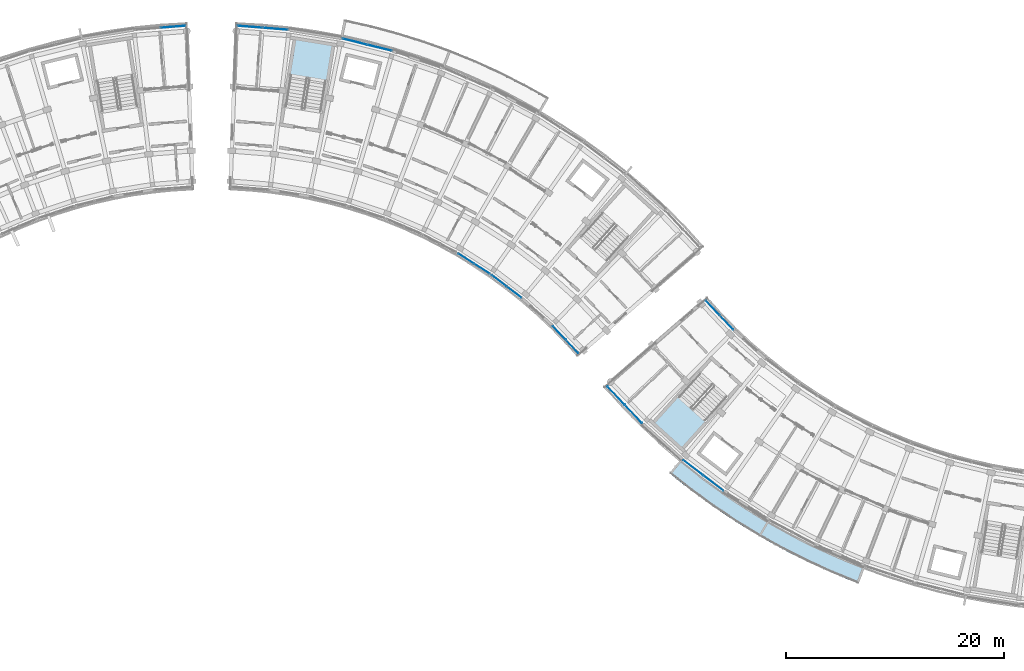
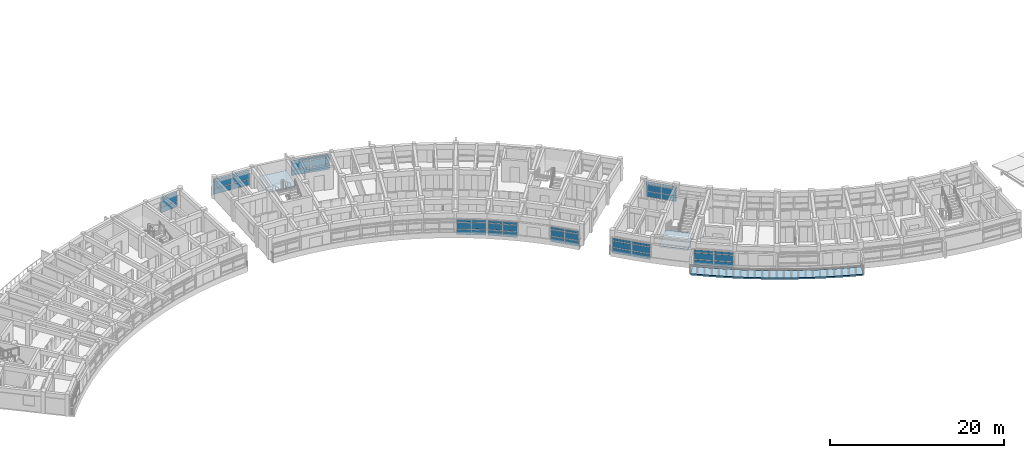
# One storey, part 25 of 50: 51 plates, 3 slabs, 11 elements without a shape of their own.
"""IFC4 building model written with IfcOpenShell, lengths in metres."""

import ifcopenshell
import ifcopenshell.guid

model = None  # the IFC model being written
_history = None  # IfcOwnerHistory: only IFC2X3 demands one
_inside = {}  # id of a spatial element -> (the spatial element, [elements in it])
_under = {}  # id of a project, library or spatial element -> (it, [spatial elements below it])
_declared = {}  # id of a project -> (the project, [libraries it declares])
_typed = {}  # id of a type object -> (the type object, [elements of that type])
_made_of = {}  # id of a material, layer set ... -> (it, [elements and type objects made of it])


def new_model(schema):
    """Start an empty IFC model of exactly this schema.

    Asked for "IFC4X3", IfcOpenShell would pick the latest addendum, in which some entities
    have other attributes; the version numbers below select the first issue.
    IFC2X3 requires an IfcOwnerHistory on every rooted entity: one is made here for all.
    """
    global model, _history
    if schema == "IFC4X3":
        model = ifcopenshell.file(schema_version=(4, 3, 0, 0))
    else:
        model = ifcopenshell.file(schema=schema)
    _inside.clear()
    _under.clear()
    _declared.clear()
    _typed.clear()
    _made_of.clear()
    _history = None
    if model.schema == "IFC2X3":
        org = make("IfcOrganization", Name="unknown")
        user = make(
            "IfcPersonAndOrganization",
            ThePerson=make("IfcPerson", FamilyName="unknown"),
            TheOrganization=org,
        )
        app = make(
            "IfcApplication",
            ApplicationDeveloper=org,
            Version="unknown",
            ApplicationFullName="unknown",
            ApplicationIdentifier="unknown",
        )
        _history = make(
            "IfcOwnerHistory",
            OwningUser=user,
            OwningApplication=app,
            ChangeAction="ADDED",
            CreationDate=0,
        )
    return model


def make(cls, **values):
    """One entity of the class cls with the attributes given. An attribute that is None is left unset."""
    return model.create_entity(
        cls, **{name: value for name, value in values.items() if value is not None}
    )


def rooted(cls, **values):
    """An entity with a GlobalId (a new one), such as an element, a storey or a relation."""
    return make(cls, GlobalId=ifcopenshell.guid.new(), OwnerHistory=_history, **values)


def si_unit(unit_type, name, prefix=None):
    """IfcSIUnit, for example si_unit("LENGTHUNIT", "METRE", prefix="MILLI")."""
    return make("IfcSIUnit", UnitType=unit_type, Prefix=prefix, Name=name)


def assignment(units):
    """IfcUnitAssignment: the units of a project."""
    return None if units is None else make("IfcUnitAssignment", Units=units)


def point(xyz):
    """IfcCartesianPoint."""
    return None if xyz is None else make("IfcCartesianPoint", Coordinates=xyz)


def direction(xyz):
    """IfcDirection."""
    return None if xyz is None else make("IfcDirection", DirectionRatios=xyz)


def frame(location, z_axis=None, x_axis=None):
    """IfcAxis2Placement3D, a coordinate frame: its origin and axes. An axis left out is left unset."""
    return make(
        "IfcAxis2Placement3D",
        Location=point(location),
        Axis=direction(z_axis),
        RefDirection=direction(x_axis),
    )


def frame_2d(location, x_axis=None):
    """IfcAxis2Placement2D, a coordinate frame in the plane: its origin and x axis."""
    return make(
        "IfcAxis2Placement2D", Location=point(location), RefDirection=direction(x_axis)
    )


def origin():
    """The frame at (0, 0, 0) with its axes left unset."""
    return frame((0.0, 0.0, 0.0))


def origin_2d():
    """The frame at (0, 0) in the plane with its x axis left unset."""
    return frame_2d((0.0, 0.0))


def place(relative_to, where):
    """IfcLocalPlacement: puts the frame where relative to a parent placement (None: the world)."""
    return make(
        "IfcLocalPlacement", PlacementRelTo=relative_to, RelativePlacement=where
    )


def context(
    kind, dimensions, precision=None, world=None, true_north=None, identifier=None
):
    """IfcGeometricRepresentationContext, for example the 3D "Model" context."""
    return make(
        "IfcGeometricRepresentationContext",
        ContextIdentifier=identifier,
        ContextType=kind,
        CoordinateSpaceDimension=dimensions,
        Precision=precision,
        WorldCoordinateSystem=world,
        TrueNorth=true_north,
    )


def subcontext(parent, identifier, kind, view, scale=None):
    """IfcGeometricRepresentationSubContext, for example "Body" below "Model"."""
    return make(
        "IfcGeometricRepresentationSubContext",
        ContextIdentifier=identifier,
        ContextType=kind,
        ParentContext=parent,
        TargetScale=scale,
        TargetView=view,
    )


def project(units=None, contexts=None):
    """IfcProject with its units and contexts."""
    return rooted(
        "IfcProject",
        Name="project",
        RepresentationContexts=contexts,
        UnitsInContext=assignment(units),
    )


def spatial(cls, under=None, at=None, **own):
    """A site, building, storey or space (cls), placed at a placement, below another one or the project."""
    s = rooted(cls, ObjectPlacement=at, **own)
    if under is not None:
        _under.setdefault(under.id(), (under, []))[1].append(s)
    return s


def polyline(points):
    """IfcPolyline through the points."""
    return make("IfcPolyline", Points=[point(p) for p in points])


def profile(cls, at=None, kind="AREA", **sizes):
    """A parametric profile (cls). Its sizes go by their IFC names, for example OverallWidth=200.0."""
    return make(cls, ProfileType=kind, Position=at, **sizes)


def rectangle(**sizes):
    """IfcRectangleProfileDef."""
    return profile("IfcRectangleProfileDef", **sizes)


def outline(outer, holes=None, kind="AREA"):
    """IfcArbitraryClosedProfileDef: a profile drawn as a closed curve; with holes, ...WithVoids."""
    if holes is None:
        return make("IfcArbitraryClosedProfileDef", ProfileType=kind, OuterCurve=outer)
    return make(
        "IfcArbitraryProfileDefWithVoids",
        ProfileType=kind,
        OuterCurve=outer,
        InnerCurves=holes,
    )


def extrude(swept, where, along, depth):
    """IfcExtrudedAreaSolid: the profile swept, set in the frame where, extruded along a direction by depth."""
    return make(
        "IfcExtrudedAreaSolid",
        SweptArea=swept,
        Position=where,
        ExtrudedDirection=direction(along),
        Depth=depth,
    )


def shape(context_of_items, identifier, shape_type, items):
    """IfcShapeRepresentation: the items that make up one representation, for example the "Body"."""
    return make(
        "IfcShapeRepresentation",
        ContextOfItems=context_of_items,
        RepresentationIdentifier=identifier,
        RepresentationType=shape_type,
        Items=items,
    )


def material(Name=None, Category=None):
    """IfcMaterial."""
    return make("IfcMaterial", Name=Name, Category=Category)


def layer(
    of_material, thickness, ventilated=None, Name=None, Category=None, Priority=None
):
    """IfcMaterialLayer: one layer of a wall or slab, of a material (None: an air gap)."""
    return make(
        "IfcMaterialLayer",
        Material=of_material,
        LayerThickness=thickness,
        IsVentilated=ventilated,
        Name=Name,
        Category=Category,
        Priority=Priority,
    )


def layer_set(layers, Name=None):
    """IfcMaterialLayerSet."""
    return make("IfcMaterialLayerSet", MaterialLayers=layers, LayerSetName=Name)


def made_of(thing, what):
    """Note that an element or type object is made of a material, layer set ...; save() writes the relation."""
    if what is not None:
        _made_of.setdefault(what.id(), (what, []))[1].append(thing)
    return thing


def type_object(cls, material=None, **own):
    """A type object (cls), such as IfcWallType, which elements share."""
    return made_of(rooted(cls, **own), material)


def element(
    cls,
    number,
    at=None,
    inside=None,
    cuts=None,
    type_object=None,
    material=None,
    context=None,
    identifier="Body",
    shape_type=None,
    held_by="IfcProductDefinitionShape",
    body=None,
    shapes=None,
    **own,
):
    """One element of the class cls, such as IfcWall. Its Tag is "e" and its number.

    at: its placement. inside: the storey or other place that contains it. cuts: it is an
    opening in that element (IfcRelVoidsElement). A single representation is given by context,
    identifier, shape_type and body (its items); several are given by shapes. held_by: the class
    of the entity that holds the representations. save() writes the other relations.
    """
    e = rooted(cls, Tag="e%d" % number, ObjectPlacement=at, **own)
    if body is not None:
        shapes = [shape(context, identifier, shape_type, body)]
    if shapes is not None:
        e.Representation = make(held_by, Representations=shapes)
    if inside is not None:
        _inside.setdefault(inside.id(), (inside, []))[1].append(e)
    if cuts is not None:
        rooted(
            "IfcRelVoidsElement", RelatingBuildingElement=cuts, RelatedOpeningElement=e
        )
    if type_object is not None:
        _typed.setdefault(type_object.id(), (type_object, []))[1].append(e)
    return made_of(e, material)


def aggregate(whole, parts):
    """IfcRelAggregates: a whole, such as a stair, and the parts it consists of."""
    return rooted("IfcRelAggregates", RelatingObject=whole, RelatedObjects=parts)


def save(model, path):
    """Write the relations noted so far, then the file.

    IfcRelAggregates (storeys below a building ...), IfcRelContainedInSpatialStructure (elements
    in a storey), IfcRelDefinesByType, IfcRelAssociatesMaterial and IfcRelDeclares: one each for
    every whole, place, type object, material and project.
    """
    for whole, parts in _under.values():
        aggregate(whole, parts)
    for where, things in _inside.values():
        rooted(
            "IfcRelContainedInSpatialStructure",
            RelatedElements=things,
            RelatingStructure=where,
        )
    for kind, things in _typed.values():
        rooted("IfcRelDefinesByType", RelatedObjects=things, RelatingType=kind)
    for what, things in _made_of.values():
        rooted("IfcRelAssociatesMaterial", RelatedObjects=things, RelatingMaterial=what)
    for by, libraries in _declared.values():
        rooted("IfcRelDeclares", RelatingContext=by, RelatedDefinitions=libraries)
    model.write(path)


model = new_model("IFC4")

# Units and contexts
model_context = context("Model", 3, precision=1e-05, world=origin(), true_north=direction((0.0, 1.0)))
body_context = subcontext(model_context, "Body", "Model", "MODEL_VIEW")
ifc_project = project(units=[si_unit("LENGTHUNIT", "METRE"), si_unit("AREAUNIT", "SQUARE_METRE"), si_unit("VOLUMEUNIT", "CUBIC_METRE"), si_unit("PLANEANGLEUNIT", "RADIAN"), si_unit("MASSUNIT", "GRAM", prefix="KILO")], contexts=[model_context])

# Site, building, storey
site_placement = place(None, origin())
site = spatial("IfcSite", under=ifc_project, at=site_placement, CompositionType="ELEMENT")
building_placement = place(site_placement, origin())
building = spatial("IfcBuilding", under=site, at=building_placement, Name="Zimvara Arc Housing Community", CompositionType="ELEMENT")
storey_placement = place(building_placement, frame((0.0, 0.0, 26.699951171875)))
storey = spatial("IfcBuildingStorey", under=building, at=storey_placement, Name="L08", CompositionType="ELEMENT", Elevation=26.699951171875)

# Curtain wall, plates
ifc_material_1 = material(Name="Anodised Aluminium AW-6063", Category="aluminium")
curtain_wall_type_1 = type_object("IfcCurtainWallType", Name="CW-SYS-08", PredefinedType="USERDEFINED", material=ifc_material_1)
curtain_wall_1_placement = place(storey_placement, origin())
curtain_wall_1 = element("IfcCurtainWall", 1, at=curtain_wall_1_placement, inside=storey, type_object=curtain_wall_type_1, Name="cw:blkB:L08:in:b7", ObjectType="CURTAIN WALL", PredefinedType="USERDEFINED")
ifc_material_2 = material(Name="Pale-Gold Anodised Aluminium Spandrel Panel", Category="aluminium")
ifc_layer_1 = layer(ifc_material_2, 0.035888671875)
ifc_layer_set_1 = layer_set([ifc_layer_1], Name="Pale-Gold Anodised Aluminium Spandrel Panel")
plate_type_1 = type_object("IfcPlateType", Name="CWP-GLD-36", PredefinedType="CURTAIN_PANEL", material=ifc_layer_set_1)
plate_1_placement = place(storey_placement, frame((71.328857421875, 80.48828125, 0.065185546875), z_axis=(0.0, 0.0, 1.0), x_axis=(0.795473543119, -0.605988318533, 0.0)))
plate_1 = element("IfcPlate", 2, at=plate_1_placement, type_object=plate_type_1, Name="CW08 panel 1.1", PredefinedType="CURTAIN_PANEL", context=body_context, shape_type="SweptSolid", body=[
    extrude(rectangle(XDim=1.664306640625, YDim=0.035888671875, at=origin_2d()), origin(), (0.0, 0.0, 1.0), 0.75244140625),
])
plate_2_placement = place(storey_placement, frame((71.328857421875, 80.48828125, 0.88232421875), z_axis=(0.0, 0.0, 1.0), x_axis=(0.795473543119, -0.605988318533, 0.0)))
plate_2 = element("IfcPlate", 3, at=plate_2_placement, type_object=plate_type_1, Name="CW08 panel 1.2", PredefinedType="CURTAIN_PANEL", context=body_context, shape_type="SweptSolid", body=[
    extrude(rectangle(XDim=1.664306640625, YDim=0.035888671875, at=origin_2d()), origin(), (0.0, 0.0, 1.0), 0.885009765625),
])
plate_3_placement = place(storey_placement, frame((71.328857421875, 80.48828125, 1.83251953125), z_axis=(0.0, 0.0, 1.0), x_axis=(0.795473543119, -0.605988318533, 0.0)))
plate_3 = element("IfcPlate", 4, at=plate_3_placement, type_object=plate_type_1, Name="CW08 panel 1.3", PredefinedType="CURTAIN_PANEL", context=body_context, shape_type="SweptSolid", body=[
    extrude(rectangle(XDim=1.664306640625, YDim=0.035888671875, at=origin_2d()), origin(), (0.0, 0.0, 1.0), 0.3525390625),
])
plate_4_placement = place(storey_placement, frame((72.704345703125, 79.4404296875, 0.065185546875), z_axis=(0.0, 0.0, 1.0), x_axis=(0.795473543119, -0.605988318533, 0.0)))
plate_4 = element("IfcPlate", 5, at=plate_4_placement, type_object=plate_type_1, Name="CW08 panel 2.1", PredefinedType="CURTAIN_PANEL", context=body_context, shape_type="SweptSolid", body=[
    extrude(rectangle(XDim=1.664306640625, YDim=0.035888671875, at=origin_2d()), origin(), (0.0, 0.0, 1.0), 0.75244140625),
])
plate_5_placement = place(storey_placement, frame((72.704345703125, 79.4404296875, 0.88232421875), z_axis=(0.0, 0.0, 1.0), x_axis=(0.795473543119, -0.605988318533, 0.0)))
plate_5 = element("IfcPlate", 6, at=plate_5_placement, type_object=plate_type_1, Name="CW08 panel 2.2", PredefinedType="CURTAIN_PANEL", context=body_context, shape_type="SweptSolid", body=[
    extrude(rectangle(XDim=1.664306640625, YDim=0.035888671875, at=origin_2d()), origin(), (0.0, 0.0, 1.0), 0.885009765625),
])
plate_6_placement = place(storey_placement, frame((72.704345703125, 79.4404296875, 1.83251953125), z_axis=(0.0, 0.0, 1.0), x_axis=(0.795473543119, -0.605988318533, 0.0)))
plate_6 = element("IfcPlate", 7, at=plate_6_placement, type_object=plate_type_1, Name="CW08 panel 2.3", PredefinedType="CURTAIN_PANEL", context=body_context, shape_type="SweptSolid", body=[
    extrude(rectangle(XDim=1.664306640625, YDim=0.035888671875, at=origin_2d()), origin(), (0.0, 0.0, 1.0), 0.3525390625),
])
aggregate(curtain_wall_1, [plate_1, plate_2, plate_3, plate_4, plate_5, plate_6])

curtain_wall_2_placement = place(storey_placement, origin())
curtain_wall_2 = element("IfcCurtainWall", 8, at=curtain_wall_2_placement, inside=storey, type_object=curtain_wall_type_1, Name="cw:blkC:L08:in:b0", ObjectType="CURTAIN WALL", PredefinedType="USERDEFINED")
plate_7_placement = place(storey_placement, frame((90.887939453125, 78.011962890625, 0.065185546875), z_axis=(0.0, 0.0, 1.0), x_axis=(0.686326336018, -0.727293723669, 0.0)))
plate_7 = element("IfcPlate", 9, at=plate_7_placement, type_object=plate_type_1, Name="CW08 panel 1.1", PredefinedType="CURTAIN_PANEL", context=body_context, shape_type="SweptSolid", body=[
    extrude(rectangle(XDim=1.778564453125, YDim=0.035888671875, at=origin_2d()), origin(), (0.0, 0.0, 1.0), 0.75244140625),
])
plate_8_placement = place(storey_placement, frame((90.887939453125, 78.011962890625, 0.88232421875), z_axis=(0.0, 0.0, 1.0), x_axis=(0.686326336018, -0.727293723669, 0.0)))
plate_8 = element("IfcPlate", 10, at=plate_8_placement, type_object=plate_type_1, Name="CW08 panel 1.2", PredefinedType="CURTAIN_PANEL", context=body_context, shape_type="SweptSolid", body=[
    extrude(rectangle(XDim=1.778564453125, YDim=0.035888671875, at=origin_2d()), origin(), (0.0, 0.0, 1.0), 0.885009765625),
])
plate_9_placement = place(storey_placement, frame((90.887939453125, 78.011962890625, 1.83251953125), z_axis=(0.0, 0.0, 1.0), x_axis=(0.686326336018, -0.727293723669, 0.0)))
plate_9 = element("IfcPlate", 11, at=plate_9_placement, type_object=plate_type_1, Name="CW08 panel 1.3", PredefinedType="CURTAIN_PANEL", context=body_context, shape_type="SweptSolid", body=[
    extrude(rectangle(XDim=1.778564453125, YDim=0.035888671875, at=origin_2d()), origin(), (0.0, 0.0, 1.0), 0.3525390625),
])
plate_10_placement = place(storey_placement, frame((92.153076171875, 76.671142578125, 0.065185546875), z_axis=(0.0, 0.0, 1.0), x_axis=(0.686326336018, -0.727293723669, 0.0)))
plate_10 = element("IfcPlate", 12, at=plate_10_placement, type_object=plate_type_1, Name="CW08 panel 2.1", PredefinedType="CURTAIN_PANEL", context=body_context, shape_type="SweptSolid", body=[
    extrude(rectangle(XDim=1.778564453125, YDim=0.035888671875, at=origin_2d()), origin(), (0.0, 0.0, 1.0), 0.75244140625),
])
plate_11_placement = place(storey_placement, frame((92.153076171875, 76.671142578125, 0.88232421875), z_axis=(0.0, 0.0, 1.0), x_axis=(0.686326336018, -0.727293723669, 0.0)))
plate_11 = element("IfcPlate", 13, at=plate_11_placement, type_object=plate_type_1, Name="CW08 panel 2.2", PredefinedType="CURTAIN_PANEL", context=body_context, shape_type="SweptSolid", body=[
    extrude(rectangle(XDim=1.778564453125, YDim=0.035888671875, at=origin_2d()), origin(), (0.0, 0.0, 1.0), 0.885009765625),
])
plate_12_placement = place(storey_placement, frame((92.153076171875, 76.671142578125, 1.83251953125), z_axis=(0.0, 0.0, 1.0), x_axis=(0.686326336018, -0.727293723669, 0.0)))
plate_12 = element("IfcPlate", 14, at=plate_12_placement, type_object=plate_type_1, Name="CW08 panel 2.3", PredefinedType="CURTAIN_PANEL", context=body_context, shape_type="SweptSolid", body=[
    extrude(rectangle(XDim=1.778564453125, YDim=0.035888671875, at=origin_2d()), origin(), (0.0, 0.0, 1.0), 0.3525390625),
])
aggregate(curtain_wall_2, [plate_7, plate_8, plate_9, plate_10, plate_11, plate_12])

ifc_material_3 = material(Name="Anodised Aluminium AW-6063", Category="aluminium")
curtain_wall_type_2 = type_object("IfcCurtainWallType", Name="CW-SYS-01", PredefinedType="USERDEFINED", material=ifc_material_3)
curtain_wall_3_placement = place(storey_placement, origin())
curtain_wall_3 = element("IfcCurtainWall", 15, at=curtain_wall_3_placement, inside=storey, type_object=curtain_wall_type_2, Name="cw:blkA:L08:out:b9", ObjectType="CURTAIN WALL", PredefinedType="USERDEFINED")
ifc_material_4 = material(Name="Solar Control Low-E Double Glazing", Category="glass")
ifc_layer_2 = layer(ifc_material_4, 0.02392578125)
ifc_layer_set_2 = layer_set([ifc_layer_2], Name="Solar Control Low-E Double Glazing")
plate_type_2 = type_object("IfcPlateType", Name="CWP-GLZ-24", PredefinedType="CURTAIN_PANEL", material=ifc_layer_set_2)
plate_13_placement = place(storey_placement, frame((41.466064453125, 103.736572265625, 0.065185546875), z_axis=(0.0, 0.0, 1.0), x_axis=(0.996862418963, 0.079153759607, 0.0)))
plate_13 = element("IfcPlate", 16, at=plate_13_placement, type_object=plate_type_2, Name="CW01 panel 2.1", PredefinedType="CURTAIN_PANEL", context=body_context, shape_type="SweptSolid", body=[
    extrude(rectangle(XDim=2.266845703125, YDim=0.02392578125, at=origin_2d()), origin(), (0.0, 0.0, 1.0), 0.75244140625),
])
plate_14_placement = place(storey_placement, frame((41.466064453125, 103.736572265625, 0.88232421875), z_axis=(0.0, 0.0, 1.0), x_axis=(0.996862418963, 0.079153759607, 0.0)))
plate_14 = element("IfcPlate", 17, at=plate_14_placement, type_object=plate_type_2, Name="CW01 panel 2.2", PredefinedType="CURTAIN_PANEL", context=body_context, shape_type="SweptSolid", body=[
    extrude(rectangle(XDim=2.266845703125, YDim=0.02392578125, at=origin_2d()), origin(), (0.0, 0.0, 1.0), 0.885009765625),
])
plate_15_placement = place(storey_placement, frame((41.466064453125, 103.736572265625, 1.83251953125), z_axis=(0.0, 0.0, 1.0), x_axis=(0.996862418963, 0.079153759607, 0.0)))
plate_15 = element("IfcPlate", 18, at=plate_15_placement, type_object=plate_type_2, Name="CW01 panel 2.3", PredefinedType="CURTAIN_PANEL", context=body_context, shape_type="SweptSolid", body=[
    extrude(rectangle(XDim=2.266845703125, YDim=0.02392578125, at=origin_2d()), origin(), (0.0, 0.0, 1.0), 0.3525390625),
])
aggregate(curtain_wall_3, [plate_13, plate_14, plate_15])

ifc_material_5 = material(Name="Anodised Aluminium AW-6063", Category="aluminium")
curtain_wall_type_3 = type_object("IfcCurtainWallType", Name="CW-SYS-05", PredefinedType="USERDEFINED", material=ifc_material_5)
curtain_wall_4_placement = place(storey_placement, origin())
curtain_wall_4 = element("IfcCurtainWall", 19, at=curtain_wall_4_placement, inside=storey, type_object=curtain_wall_type_3, Name="cw:blkB:L08:out:b0", ObjectType="CURTAIN WALL", PredefinedType="USERDEFINED")
plate_16_placement = place(storey_placement, frame((48.533935546875, 103.736572265625, 0.065185546875), z_axis=(0.0, 0.0, 1.0), x_axis=(0.996862418963, -0.079153759607, 0.0)))
plate_16 = element("IfcPlate", 20, at=plate_16_placement, type_object=plate_type_2, Name="CW05 panel 1.1", PredefinedType="CURTAIN_PANEL", context=body_context, shape_type="SweptSolid", body=[
    extrude(rectangle(XDim=2.266845703125, YDim=0.02392578125, at=origin_2d()), origin(), (0.0, 0.0, 1.0), 0.75244140625),
])
plate_17_placement = place(storey_placement, frame((48.533935546875, 103.736572265625, 0.88232421875), z_axis=(0.0, 0.0, 1.0), x_axis=(0.996862418963, -0.079153759607, 0.0)))
plate_17 = element("IfcPlate", 21, at=plate_17_placement, type_object=plate_type_2, Name="CW05 panel 1.2", PredefinedType="CURTAIN_PANEL", context=body_context, shape_type="SweptSolid", body=[
    extrude(rectangle(XDim=2.266845703125, YDim=0.02392578125, at=origin_2d()), origin(), (0.0, 0.0, 1.0), 0.885009765625),
])
plate_18_placement = place(storey_placement, frame((48.533935546875, 103.736572265625, 1.83251953125), z_axis=(0.0, 0.0, 1.0), x_axis=(0.996862418963, -0.079153759607, 0.0)))
plate_18 = element("IfcPlate", 22, at=plate_18_placement, type_object=plate_type_2, Name="CW05 panel 1.3", PredefinedType="CURTAIN_PANEL", context=body_context, shape_type="SweptSolid", body=[
    extrude(rectangle(XDim=2.266845703125, YDim=0.02392578125, at=origin_2d()), origin(), (0.0, 0.0, 1.0), 0.3525390625),
])
plate_19_placement = place(storey_placement, frame((50.858642578125, 103.552001953125, 0.065185546875), z_axis=(0.0, 0.0, 1.0), x_axis=(0.996862418963, -0.079153759607, 0.0)))
plate_19 = element("IfcPlate", 23, at=plate_19_placement, type_object=plate_type_2, Name="CW05 panel 2.1", PredefinedType="CURTAIN_PANEL", context=body_context, shape_type="SweptSolid", body=[
    extrude(rectangle(XDim=2.266845703125, YDim=0.02392578125, at=origin_2d()), origin(), (0.0, 0.0, 1.0), 0.75244140625),
])
plate_20_placement = place(storey_placement, frame((50.858642578125, 103.552001953125, 0.88232421875), z_axis=(0.0, 0.0, 1.0), x_axis=(0.996862418963, -0.079153759607, 0.0)))
plate_20 = element("IfcPlate", 24, at=plate_20_placement, type_object=plate_type_2, Name="CW05 panel 2.2", PredefinedType="CURTAIN_PANEL", context=body_context, shape_type="SweptSolid", body=[
    extrude(rectangle(XDim=2.266845703125, YDim=0.02392578125, at=origin_2d()), origin(), (0.0, 0.0, 1.0), 0.885009765625),
])
plate_21_placement = place(storey_placement, frame((50.858642578125, 103.552001953125, 1.83251953125), z_axis=(0.0, 0.0, 1.0), x_axis=(0.996862418963, -0.079153759607, 0.0)))
plate_21 = element("IfcPlate", 25, at=plate_21_placement, type_object=plate_type_2, Name="CW05 panel 2.3", PredefinedType="CURTAIN_PANEL", context=body_context, shape_type="SweptSolid", body=[
    extrude(rectangle(XDim=2.266845703125, YDim=0.02392578125, at=origin_2d()), origin(), (0.0, 0.0, 1.0), 0.3525390625),
])
aggregate(curtain_wall_4, [plate_16, plate_17, plate_18, plate_19, plate_20, plate_21])

curtain_wall_5_placement = place(storey_placement, origin())
curtain_wall_5 = element("IfcCurtainWall", 26, at=curtain_wall_5_placement, inside=storey, type_object=curtain_wall_type_2, Name="cw:blkC:L08:out:b2", ObjectType="CURTAIN WALL", PredefinedType="USERDEFINED")
plate_22_placement = place(storey_placement, frame((89.098876953125, 63.370849609375, 0.065185546875), z_axis=(0.0, 0.0, 1.0), x_axis=(0.795473999177, -0.60598771987, 0.0)))
plate_22 = element("IfcPlate", 27, at=plate_22_placement, type_object=plate_type_2, Name="CW01 panel 1.1", PredefinedType="CURTAIN_PANEL", context=body_context, shape_type="SweptSolid", body=[
    extrude(rectangle(XDim=2.266845703125, YDim=0.02392578125, at=origin_2d()), origin(), (0.0, 0.0, 1.0), 0.75244140625),
])
plate_23_placement = place(storey_placement, frame((89.098876953125, 63.370849609375, 0.88232421875), z_axis=(0.0, 0.0, 1.0), x_axis=(0.795473999177, -0.60598771987, 0.0)))
plate_23 = element("IfcPlate", 28, at=plate_23_placement, type_object=plate_type_2, Name="CW01 panel 1.2", PredefinedType="CURTAIN_PANEL", context=body_context, shape_type="SweptSolid", body=[
    extrude(rectangle(XDim=2.266845703125, YDim=0.02392578125, at=origin_2d()), origin(), (0.0, 0.0, 1.0), 0.885009765625),
])
plate_24_placement = place(storey_placement, frame((89.098876953125, 63.370849609375, 1.83251953125), z_axis=(0.0, 0.0, 1.0), x_axis=(0.795473999177, -0.60598771987, 0.0)))
plate_24 = element("IfcPlate", 29, at=plate_24_placement, type_object=plate_type_2, Name="CW01 panel 1.3", PredefinedType="CURTAIN_PANEL", context=body_context, shape_type="SweptSolid", body=[
    extrude(rectangle(XDim=2.266845703125, YDim=0.02392578125, at=origin_2d()), origin(), (0.0, 0.0, 1.0), 0.3525390625),
])
plate_25_placement = place(storey_placement, frame((90.953857421875, 61.95751953125, 0.065185546875), z_axis=(0.0, 0.0, 1.0), x_axis=(0.795473999177, -0.60598771987, 0.0)))
plate_25 = element("IfcPlate", 30, at=plate_25_placement, type_object=plate_type_2, Name="CW01 panel 2.1", PredefinedType="CURTAIN_PANEL", context=body_context, shape_type="SweptSolid", body=[
    extrude(rectangle(XDim=2.266845703125, YDim=0.02392578125, at=origin_2d()), origin(), (0.0, 0.0, 1.0), 0.75244140625),
])
plate_26_placement = place(storey_placement, frame((90.953857421875, 61.95751953125, 0.88232421875), z_axis=(0.0, 0.0, 1.0), x_axis=(0.795473999177, -0.60598771987, 0.0)))
plate_26 = element("IfcPlate", 31, at=plate_26_placement, type_object=plate_type_2, Name="CW01 panel 2.2", PredefinedType="CURTAIN_PANEL", context=body_context, shape_type="SweptSolid", body=[
    extrude(rectangle(XDim=2.266845703125, YDim=0.02392578125, at=origin_2d()), origin(), (0.0, 0.0, 1.0), 0.885009765625),
])
plate_27_placement = place(storey_placement, frame((90.953857421875, 61.95751953125, 1.83251953125), z_axis=(0.0, 0.0, 1.0), x_axis=(0.795473999177, -0.60598771987, 0.0)))
plate_27 = element("IfcPlate", 32, at=plate_27_placement, type_object=plate_type_2, Name="CW01 panel 2.3", PredefinedType="CURTAIN_PANEL", context=body_context, shape_type="SweptSolid", body=[
    extrude(rectangle(XDim=2.266845703125, YDim=0.02392578125, at=origin_2d()), origin(), (0.0, 0.0, 1.0), 0.3525390625),
])
aggregate(curtain_wall_5, [plate_22, plate_23, plate_24, plate_25, plate_26, plate_27])

ifc_material_6 = material(Name="Anodised Aluminium AW-6063", Category="aluminium")
curtain_wall_type_4 = type_object("IfcCurtainWallType", Name="CW-SYS-06", PredefinedType="USERDEFINED", material=ifc_material_6)
curtain_wall_6_placement = place(storey_placement, origin())
curtain_wall_6 = element("IfcCurtainWall", 33, at=curtain_wall_6_placement, inside=storey, type_object=curtain_wall_type_4, Name="cw:blkB:L08:in:b6", ObjectType="CURTAIN WALL", PredefinedType="USERDEFINED")
ifc_material_7 = material(Name="Solar Control Low-E Double Glazing", Category="glass")
ifc_layer_3 = layer(ifc_material_7, 0.028076171875)
ifc_layer_set_3 = layer_set([ifc_layer_3], Name="Solar Control Low-E Double Glazing")
plate_type_3 = type_object("IfcPlateType", Name="CWP-GLZ-28", PredefinedType="CURTAIN_PANEL", material=ifc_layer_set_3)
plate_28_placement = place(storey_placement, frame((68.3046875, 82.5166015625, 0.065185546875), z_axis=(0.0, 0.0, 1.0), x_axis=(0.842264751752, -0.539064085203, 0.0)))
plate_28 = element("IfcPlate", 34, at=plate_28_placement, type_object=plate_type_3, Name="CW06 panel 1.1", PredefinedType="CURTAIN_PANEL", context=body_context, shape_type="SweptSolid", body=[
    extrude(rectangle(XDim=1.664306640625, YDim=0.028076171875, at=origin_2d()), origin(), (0.0, 0.0, 1.0), 0.75244140625),
])
plate_29_placement = place(storey_placement, frame((68.3046875, 82.5166015625, 0.88232421875), z_axis=(0.0, 0.0, 1.0), x_axis=(0.842264751752, -0.539064085203, 0.0)))
plate_29 = element("IfcPlate", 35, at=plate_29_placement, type_object=plate_type_3, Name="CW06 panel 1.2", PredefinedType="CURTAIN_PANEL", context=body_context, shape_type="SweptSolid", body=[
    extrude(rectangle(XDim=1.664306640625, YDim=0.028076171875, at=origin_2d()), origin(), (0.0, 0.0, 1.0), 0.885009765625),
])
plate_30_placement = place(storey_placement, frame((68.3046875, 82.5166015625, 1.83251953125), z_axis=(0.0, 0.0, 1.0), x_axis=(0.842264751752, -0.539064085203, 0.0)))
plate_30 = element("IfcPlate", 36, at=plate_30_placement, type_object=plate_type_3, Name="CW06 panel 1.3", PredefinedType="CURTAIN_PANEL", context=body_context, shape_type="SweptSolid", body=[
    extrude(rectangle(XDim=1.664306640625, YDim=0.028076171875, at=origin_2d()), origin(), (0.0, 0.0, 1.0), 0.3525390625),
])
plate_31_placement = place(storey_placement, frame((69.76123046875, 81.58447265625, 0.065185546875), z_axis=(0.0, 0.0, 1.0), x_axis=(0.842264751752, -0.539064085203, 0.0)))
plate_31 = element("IfcPlate", 37, at=plate_31_placement, type_object=plate_type_3, Name="CW06 panel 2.1", PredefinedType="CURTAIN_PANEL", context=body_context, shape_type="SweptSolid", body=[
    extrude(rectangle(XDim=1.664306640625, YDim=0.028076171875, at=origin_2d()), origin(), (0.0, 0.0, 1.0), 0.75244140625),
])
plate_32_placement = place(storey_placement, frame((69.76123046875, 81.58447265625, 0.88232421875), z_axis=(0.0, 0.0, 1.0), x_axis=(0.842264751752, -0.539064085203, 0.0)))
plate_32 = element("IfcPlate", 38, at=plate_32_placement, type_object=plate_type_3, Name="CW06 panel 2.2", PredefinedType="CURTAIN_PANEL", context=body_context, shape_type="SweptSolid", body=[
    extrude(rectangle(XDim=1.664306640625, YDim=0.028076171875, at=origin_2d()), origin(), (0.0, 0.0, 1.0), 0.885009765625),
])
plate_33_placement = place(storey_placement, frame((69.76123046875, 81.58447265625, 1.83251953125), z_axis=(0.0, 0.0, 1.0), x_axis=(0.842264751752, -0.539064085203, 0.0)))
plate_33 = element("IfcPlate", 39, at=plate_33_placement, type_object=plate_type_3, Name="CW06 panel 2.3", PredefinedType="CURTAIN_PANEL", context=body_context, shape_type="SweptSolid", body=[
    extrude(rectangle(XDim=1.664306640625, YDim=0.028076171875, at=origin_2d()), origin(), (0.0, 0.0, 1.0), 0.3525390625),
])
aggregate(curtain_wall_6, [plate_28, plate_29, plate_30, plate_31, plate_32, plate_33])

ifc_material_8 = material(Name="Anodised Aluminium AW-6063", Category="aluminium")
curtain_wall_type_5 = type_object("IfcCurtainWallType", Name="CW-SYS-02", PredefinedType="USERDEFINED", material=ifc_material_8)
curtain_wall_7_placement = place(storey_placement, origin())
curtain_wall_7 = element("IfcCurtainWall", 40, at=curtain_wall_7_placement, inside=storey, type_object=curtain_wall_type_5, Name="cw:blkB:L08:in:b9", ObjectType="CURTAIN WALL", PredefinedType="USERDEFINED")
plate_34_placement = place(storey_placement, frame((76.831298828125, 75.727294921875, 0.065185546875), z_axis=(0.0, 0.0, 1.0), x_axis=(0.686326805658, -0.727293280483, 0.0)))
plate_34 = element("IfcPlate", 41, at=plate_34_placement, type_object=plate_type_3, Name="CW02 panel 1.1", PredefinedType="CURTAIN_PANEL", context=body_context, shape_type="SweptSolid", body=[
    extrude(rectangle(XDim=1.664306640625, YDim=0.028076171875, at=origin_2d()), origin(), (0.0, 0.0, 1.0), 0.75244140625),
])
plate_35_placement = place(storey_placement, frame((76.831298828125, 75.727294921875, 0.88232421875), z_axis=(0.0, 0.0, 1.0), x_axis=(0.686326805658, -0.727293280483, 0.0)))
plate_35 = element("IfcPlate", 42, at=plate_35_placement, type_object=plate_type_3, Name="CW02 panel 1.2", PredefinedType="CURTAIN_PANEL", context=body_context, shape_type="SweptSolid", body=[
    extrude(rectangle(XDim=1.664306640625, YDim=0.028076171875, at=origin_2d()), origin(), (0.0, 0.0, 1.0), 0.885009765625),
])
plate_36_placement = place(storey_placement, frame((76.831298828125, 75.727294921875, 1.83251953125), z_axis=(0.0, 0.0, 1.0), x_axis=(0.686326805658, -0.727293280483, 0.0)))
plate_36 = element("IfcPlate", 43, at=plate_36_placement, type_object=plate_type_3, Name="CW02 panel 1.3", PredefinedType="CURTAIN_PANEL", context=body_context, shape_type="SweptSolid", body=[
    extrude(rectangle(XDim=1.664306640625, YDim=0.028076171875, at=origin_2d()), origin(), (0.0, 0.0, 1.0), 0.3525390625),
])
plate_37_placement = place(storey_placement, frame((78.018310546875, 74.469482421875, 0.065185546875), z_axis=(0.0, 0.0, 1.0), x_axis=(0.686326805658, -0.727293280483, 0.0)))
plate_37 = element("IfcPlate", 44, at=plate_37_placement, type_object=plate_type_3, Name="CW02 panel 2.1", PredefinedType="CURTAIN_PANEL", context=body_context, shape_type="SweptSolid", body=[
    extrude(rectangle(XDim=1.664306640625, YDim=0.028076171875, at=origin_2d()), origin(), (0.0, 0.0, 1.0), 0.75244140625),
])
plate_38_placement = place(storey_placement, frame((78.018310546875, 74.469482421875, 0.88232421875), z_axis=(0.0, 0.0, 1.0), x_axis=(0.686326805658, -0.727293280483, 0.0)))
plate_38 = element("IfcPlate", 45, at=plate_38_placement, type_object=plate_type_3, Name="CW02 panel 2.2", PredefinedType="CURTAIN_PANEL", context=body_context, shape_type="SweptSolid", body=[
    extrude(rectangle(XDim=1.664306640625, YDim=0.028076171875, at=origin_2d()), origin(), (0.0, 0.0, 1.0), 0.885009765625),
])
plate_39_placement = place(storey_placement, frame((78.018310546875, 74.469482421875, 1.83251953125), z_axis=(0.0, 0.0, 1.0), x_axis=(0.686326805658, -0.727293280483, 0.0)))
plate_39 = element("IfcPlate", 46, at=plate_39_placement, type_object=plate_type_3, Name="CW02 panel 2.3", PredefinedType="CURTAIN_PANEL", context=body_context, shape_type="SweptSolid", body=[
    extrude(rectangle(XDim=1.664306640625, YDim=0.028076171875, at=origin_2d()), origin(), (0.0, 0.0, 1.0), 0.3525390625),
])
aggregate(curtain_wall_7, [plate_34, plate_35, plate_36, plate_37, plate_38, plate_39])

ifc_material_9 = material(Name="Anodised Aluminium AW-6063", Category="aluminium")
curtain_wall_type_6 = type_object("IfcCurtainWallType", Name="CW-SYS-07", PredefinedType="USERDEFINED", material=ifc_material_9)
curtain_wall_8_placement = place(storey_placement, origin())
curtain_wall_8 = element("IfcCurtainWall", 47, at=curtain_wall_8_placement, inside=storey, type_object=curtain_wall_type_6, Name="cw:blkB:L08:out:b2", ObjectType="CURTAIN WALL", PredefinedType="USERDEFINED")
ifc_material_10 = material(Name="Acoustic Laminated Solar Glazing", Category="glass")
ifc_layer_4 = layer(ifc_material_10, 0.031982421875)
ifc_layer_set_4 = layer_set([ifc_layer_4], Name="Acoustic Laminated Solar Glazing")
plate_type_4 = type_object("IfcPlateType", Name="CWP-GLZ-32", PredefinedType="CURTAIN_PANEL", material=ifc_layer_set_4)
plate_40_placement = place(storey_placement, frame((58.12109375, 102.373291015625, 0.065185546875), z_axis=(0.0, 0.0, 1.0), x_axis=(0.970716068627, -0.240229711131, 0.0)))
plate_40 = element("IfcPlate", 48, at=plate_40_placement, type_object=plate_type_4, Name="CW07 panel 1.1", PredefinedType="CURTAIN_PANEL", context=body_context, shape_type="SweptSolid", body=[
    extrude(rectangle(XDim=2.266845703125, YDim=0.031982421875, at=origin_2d()), origin(), (0.0, 0.0, 1.0), 0.75244140625),
])
plate_41_placement = place(storey_placement, frame((58.12109375, 102.373291015625, 0.88232421875), z_axis=(0.0, 0.0, 1.0), x_axis=(0.970716068627, -0.240229711131, 0.0)))
plate_41 = element("IfcPlate", 49, at=plate_41_placement, type_object=plate_type_4, Name="CW07 panel 1.2", PredefinedType="CURTAIN_PANEL", context=body_context, shape_type="SweptSolid", body=[
    extrude(rectangle(XDim=2.266845703125, YDim=0.031982421875, at=origin_2d()), origin(), (0.0, 0.0, 1.0), 0.885009765625),
])
plate_42_placement = place(storey_placement, frame((58.12109375, 102.373291015625, 1.83251953125), z_axis=(0.0, 0.0, 1.0), x_axis=(0.970716068627, -0.240229711131, 0.0)))
plate_42 = element("IfcPlate", 50, at=plate_42_placement, type_object=plate_type_4, Name="CW07 panel 1.3", PredefinedType="CURTAIN_PANEL", context=body_context, shape_type="SweptSolid", body=[
    extrude(rectangle(XDim=2.266845703125, YDim=0.031982421875, at=origin_2d()), origin(), (0.0, 0.0, 1.0), 0.3525390625),
])
plate_43_placement = place(storey_placement, frame((60.384765625, 101.81298828125, 0.065185546875), z_axis=(0.0, 0.0, 1.0), x_axis=(0.970716068627, -0.240229711131, 0.0)))
plate_43 = element("IfcPlate", 51, at=plate_43_placement, type_object=plate_type_4, Name="CW07 panel 2.1", PredefinedType="CURTAIN_PANEL", context=body_context, shape_type="SweptSolid", body=[
    extrude(rectangle(XDim=2.266845703125, YDim=0.031982421875, at=origin_2d()), origin(), (0.0, 0.0, 1.0), 0.75244140625),
])
plate_44_placement = place(storey_placement, frame((60.384765625, 101.81298828125, 0.88232421875), z_axis=(0.0, 0.0, 1.0), x_axis=(0.970716068627, -0.240229711131, 0.0)))
plate_44 = element("IfcPlate", 52, at=plate_44_placement, type_object=plate_type_4, Name="CW07 panel 2.2", PredefinedType="CURTAIN_PANEL", context=body_context, shape_type="SweptSolid", body=[
    extrude(rectangle(XDim=2.266845703125, YDim=0.031982421875, at=origin_2d()), origin(), (0.0, 0.0, 1.0), 0.885009765625),
])
plate_45_placement = place(storey_placement, frame((60.384765625, 101.81298828125, 1.83251953125), z_axis=(0.0, 0.0, 1.0), x_axis=(0.970716068627, -0.240229711131, 0.0)))
plate_45 = element("IfcPlate", 53, at=plate_45_placement, type_object=plate_type_4, Name="CW07 panel 2.3", PredefinedType="CURTAIN_PANEL", context=body_context, shape_type="SweptSolid", body=[
    extrude(rectangle(XDim=2.266845703125, YDim=0.031982421875, at=origin_2d()), origin(), (0.0, 0.0, 1.0), 0.3525390625),
])
aggregate(curtain_wall_8, [plate_40, plate_41, plate_42, plate_43, plate_44, plate_45])

curtain_wall_9_placement = place(storey_placement, origin())
curtain_wall_9 = element("IfcCurtainWall", 54, at=curtain_wall_9_placement, inside=storey, type_object=curtain_wall_type_6, Name="cw:blkC:L08:out:b0", ObjectType="CURTAIN WALL", PredefinedType="USERDEFINED")
plate_46_placement = place(storey_placement, frame((82.029052734375, 69.988037109375, 0.065185546875), z_axis=(0.0, 0.0, 1.0), x_axis=(0.686326416495, -0.727293647725, 0.0)))
plate_46 = element("IfcPlate", 55, at=plate_46_placement, type_object=plate_type_4, Name="CW07 panel 1.1", PredefinedType="CURTAIN_PANEL", context=body_context, shape_type="SweptSolid", body=[
    extrude(rectangle(XDim=2.266845703125, YDim=0.031982421875, at=origin_2d()), origin(), (0.0, 0.0, 1.0), 0.75244140625),
])
plate_47_placement = place(storey_placement, frame((82.029052734375, 69.988037109375, 0.88232421875), z_axis=(0.0, 0.0, 1.0), x_axis=(0.686326416495, -0.727293647725, 0.0)))
plate_47 = element("IfcPlate", 56, at=plate_47_placement, type_object=plate_type_4, Name="CW07 panel 1.2", PredefinedType="CURTAIN_PANEL", context=body_context, shape_type="SweptSolid", body=[
    extrude(rectangle(XDim=2.266845703125, YDim=0.031982421875, at=origin_2d()), origin(), (0.0, 0.0, 1.0), 0.885009765625),
])
plate_48_placement = place(storey_placement, frame((82.029052734375, 69.988037109375, 1.83251953125), z_axis=(0.0, 0.0, 1.0), x_axis=(0.686326416495, -0.727293647725, 0.0)))
plate_48 = element("IfcPlate", 57, at=plate_48_placement, type_object=plate_type_4, Name="CW07 panel 1.3", PredefinedType="CURTAIN_PANEL", context=body_context, shape_type="SweptSolid", body=[
    extrude(rectangle(XDim=2.266845703125, YDim=0.031982421875, at=origin_2d()), origin(), (0.0, 0.0, 1.0), 0.3525390625),
])
plate_49_placement = place(storey_placement, frame((83.629638671875, 68.2919921875, 0.065185546875), z_axis=(0.0, 0.0, 1.0), x_axis=(0.686326416495, -0.727293647725, 0.0)))
plate_49 = element("IfcPlate", 58, at=plate_49_placement, type_object=plate_type_4, Name="CW07 panel 2.1", PredefinedType="CURTAIN_PANEL", context=body_context, shape_type="SweptSolid", body=[
    extrude(rectangle(XDim=2.266845703125, YDim=0.031982421875, at=origin_2d()), origin(), (0.0, 0.0, 1.0), 0.75244140625),
])
plate_50_placement = place(storey_placement, frame((83.629638671875, 68.2919921875, 0.88232421875), z_axis=(0.0, 0.0, 1.0), x_axis=(0.686326416495, -0.727293647725, 0.0)))
plate_50 = element("IfcPlate", 59, at=plate_50_placement, type_object=plate_type_4, Name="CW07 panel 2.2", PredefinedType="CURTAIN_PANEL", context=body_context, shape_type="SweptSolid", body=[
    extrude(rectangle(XDim=2.266845703125, YDim=0.031982421875, at=origin_2d()), origin(), (0.0, 0.0, 1.0), 0.885009765625),
])
plate_51_placement = place(storey_placement, frame((83.629638671875, 68.2919921875, 1.83251953125), z_axis=(0.0, 0.0, 1.0), x_axis=(0.686326416495, -0.727293647725, 0.0)))
plate_51 = element("IfcPlate", 60, at=plate_51_placement, type_object=plate_type_4, Name="CW07 panel 2.3", PredefinedType="CURTAIN_PANEL", context=body_context, shape_type="SweptSolid", body=[
    extrude(rectangle(XDim=2.266845703125, YDim=0.031982421875, at=origin_2d()), origin(), (0.0, 0.0, 1.0), 0.3525390625),
])
aggregate(curtain_wall_9, [plate_46, plate_47, plate_48, plate_49, plate_50, plate_51])

# Stair, slab
ifc_material_11 = material(Name="Concrete C35/45", Category="concrete")
stair_type_1 = type_object("IfcStairType", Name="STR-DL-315-310", PredefinedType="HALF_TURN_STAIR", material=ifc_material_11)
stair_1_placement = place(storey_placement, origin())
stair_1 = element("IfcStair", 61, at=stair_1_placement, inside=storey, type_object=stair_type_1, Name="L08 Block B Exit Stair 1", PredefinedType="HALF_TURN_STAIR")
ifc_material_12 = material(Name="Concrete C35/45", Category="concrete")
ifc_layer_5 = layer(ifc_material_12, 0.199951171875)
ifc_layer_set_5 = layer_set([ifc_layer_5], Name="Concrete C35/45")
slab_type_1 = type_object("IfcSlabType", Name="SLB-STAIR-LND-200", PredefinedType="LANDING", material=ifc_layer_set_5)
slab_1_placement = place(storey_placement, frame((0.0, 0.0, 1.35009765625)))
slab_1 = element("IfcSlab", 62, at=slab_1_placement, type_object=slab_type_1, Name="ST-B1 landing 1", PredefinedType="LANDING", context=body_context, shape_type="SweptSolid", body=[
    extrude(outline(polyline([(55.501953125, 98.712646484375), (56.037841796875, 102.014404296875), (52.721435546875, 102.552978515625), (52.185302734375, 99.2509765625), (55.501953125, 98.712646484375)])), origin(), (0.0, 0.0, 1.0), 0.199951171875),
])
aggregate(stair_1, [slab_1])

ifc_material_13 = material(Name="Concrete C35/45", Category="concrete")
stair_type_2 = type_object("IfcStairType", Name="STR-DL-318-310", PredefinedType="HALF_TURN_STAIR", material=ifc_material_13)
stair_2_placement = place(storey_placement, origin())
stair_2 = element("IfcStair", 63, at=stair_2_placement, inside=storey, type_object=stair_type_2, Name="L08 Block C Exit Stair 1", PredefinedType="HALF_TURN_STAIR")
slab_2_placement = place(storey_placement, frame((0.0, 0.0, 1.35009765625)))
slab_2 = element("IfcSlab", 64, at=slab_2_placement, type_object=slab_type_1, Name="ST-C1 landing 1", PredefinedType="LANDING", context=body_context, shape_type="SweptSolid", body=[
    extrude(outline(polyline([(87.794677734375, 69.932861328125), (85.575439453125, 67.46630859375), (88.0732421875, 65.218994140625), (90.29248046875, 67.685546875), (87.794677734375, 69.932861328125)])), origin(), (0.0, 0.0, 1.0), 0.199951171875),
])
aggregate(stair_2, [slab_2])

# Slab
ifc_material_14 = material(Name="Concrete C35/45", Category="concrete")
ifc_layer_6 = layer(ifc_material_14, 0.2099609375)
ifc_layer_set_6 = layer_set([ifc_layer_6], Name="Concrete C35/45")
slab_type_2 = type_object("IfcSlabType", Name="SLB-TER-210", PredefinedType="FLOOR", material=ifc_layer_set_6)
slab_3_placement = place(storey_placement, frame((0.0, 0.0, -0.2099609375)))
element("IfcSlab", 65, at=slab_3_placement, inside=storey, type_object=slab_type_2, Name="slab:blkC:L08:bal_out", PredefinedType="FLOOR", context=body_context, shape_type="SweptSolid", body=[
    extrude(outline(polyline([(104.688232421875, 54.160888671875), (104.687744140625, 54.1611328125), (102.432373046875, 55.076416015625), (102.431396484375, 55.076904296875), (100.21533203125, 56.08349609375), (100.214111328125, 56.083984375), (98.041015625, 57.18017578125), (98.0400390625, 57.180908203125), (95.91357421875, 58.364990234375), (95.912353515625, 58.365478515625), (93.836181640625, 59.635498046875), (93.8349609375, 59.63623046875), (91.812255859375, 60.98974609375), (91.811279296875, 60.990478515625), (89.845458984375, 62.425537109375), (89.844482421875, 62.42626953125), (87.938720703125, 63.9404296875), (87.938232421875, 63.94091796875), (87.00048828125, 62.808837890625), (87.969482421875, 62.022705078125), (88.9541015625, 61.256591796875), (89.954345703125, 60.5107421875), (90.969482421875, 59.785400390625), (91.999267578125, 59.080810546875), (93.043212890625, 58.397705078125), (94.100830078125, 57.73583984375), (95.171875, 57.095703125), (96.255615234375, 56.477783203125), (97.351806640625, 55.8818359375), (98.4599609375, 55.30859375), (99.57958984375, 54.758056640625), (100.710205078125, 54.23046875), (101.851318359375, 53.72607421875), (103.002685546875, 53.2451171875), (104.163330078125, 52.787841796875), (104.688232421875, 54.160888671875)])), origin(), (0.0, 0.0, 1.0), 0.2099609375),
])

save(model, "model.ifc")
